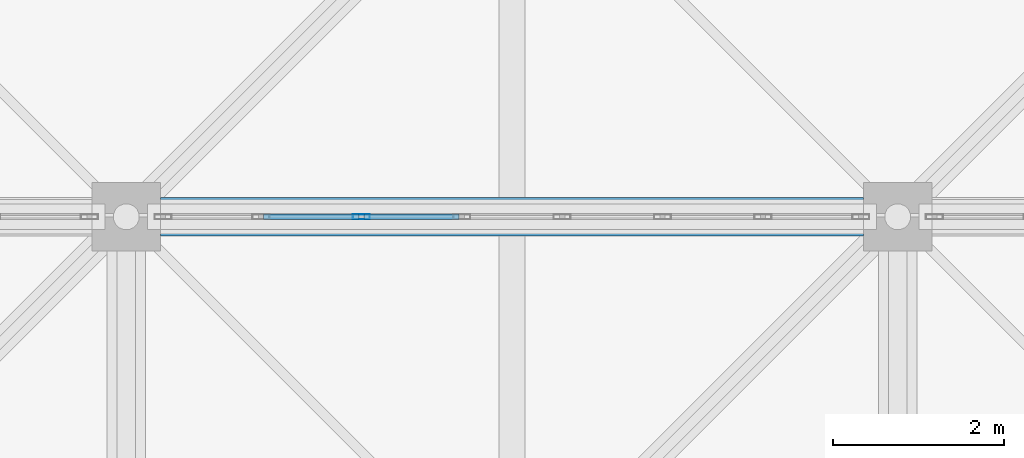
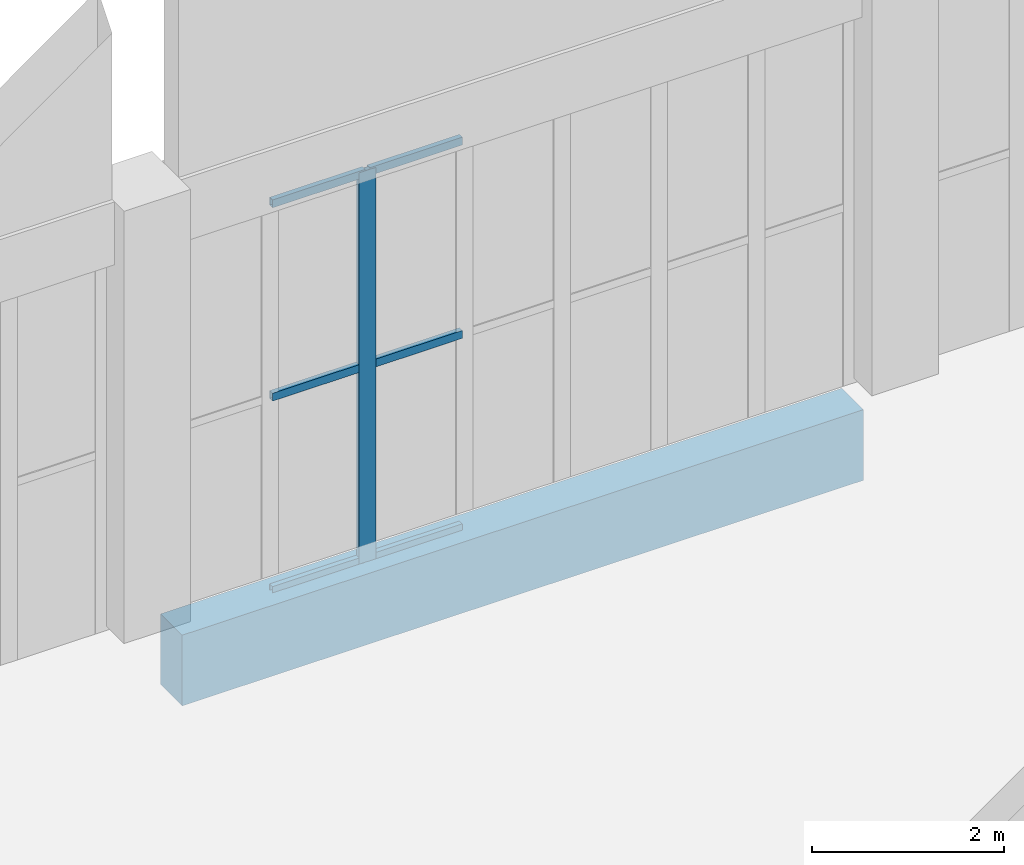
# One storey, part 121 of 437: 7 members, 1 beam, 1 element without a shape of its own.
"""IFC4 building model written with IfcOpenShell, lengths in metres."""

import ifcopenshell
import ifcopenshell.guid

model = None  # the IFC model being written
_history = None  # IfcOwnerHistory: only IFC2X3 demands one
_inside = {}  # id of a spatial element -> (the spatial element, [elements in it])
_under = {}  # id of a project, library or spatial element -> (it, [spatial elements below it])
_declared = {}  # id of a project -> (the project, [libraries it declares])
_typed = {}  # id of a type object -> (the type object, [elements of that type])
_made_of = {}  # id of a material, layer set ... -> (it, [elements and type objects made of it])


def new_model(schema):
    """Start an empty IFC model of exactly this schema.

    Asked for "IFC4X3", IfcOpenShell would pick the latest addendum, in which some entities
    have other attributes; the version numbers below select the first issue.
    IFC2X3 requires an IfcOwnerHistory on every rooted entity: one is made here for all.
    """
    global model, _history
    if schema == "IFC4X3":
        model = ifcopenshell.file(schema_version=(4, 3, 0, 0))
    else:
        model = ifcopenshell.file(schema=schema)
    _inside.clear()
    _under.clear()
    _declared.clear()
    _typed.clear()
    _made_of.clear()
    _history = None
    if model.schema == "IFC2X3":
        org = make("IfcOrganization", Name="unknown")
        user = make(
            "IfcPersonAndOrganization",
            ThePerson=make("IfcPerson", FamilyName="unknown"),
            TheOrganization=org,
        )
        app = make(
            "IfcApplication",
            ApplicationDeveloper=org,
            Version="unknown",
            ApplicationFullName="unknown",
            ApplicationIdentifier="unknown",
        )
        _history = make(
            "IfcOwnerHistory",
            OwningUser=user,
            OwningApplication=app,
            ChangeAction="ADDED",
            CreationDate=0,
        )
    return model


def make(cls, **values):
    """One entity of the class cls with the attributes given. An attribute that is None is left unset."""
    return model.create_entity(
        cls, **{name: value for name, value in values.items() if value is not None}
    )


def rooted(cls, **values):
    """An entity with a GlobalId (a new one), such as an element, a storey or a relation."""
    return make(cls, GlobalId=ifcopenshell.guid.new(), OwnerHistory=_history, **values)


def si_unit(unit_type, name, prefix=None):
    """IfcSIUnit, for example si_unit("LENGTHUNIT", "METRE", prefix="MILLI")."""
    return make("IfcSIUnit", UnitType=unit_type, Prefix=prefix, Name=name)


def assignment(units):
    """IfcUnitAssignment: the units of a project."""
    return None if units is None else make("IfcUnitAssignment", Units=units)


def point(xyz):
    """IfcCartesianPoint."""
    return None if xyz is None else make("IfcCartesianPoint", Coordinates=xyz)


def direction(xyz):
    """IfcDirection."""
    return None if xyz is None else make("IfcDirection", DirectionRatios=xyz)


def frame(location, z_axis=None, x_axis=None):
    """IfcAxis2Placement3D, a coordinate frame: its origin and axes. An axis left out is left unset."""
    return make(
        "IfcAxis2Placement3D",
        Location=point(location),
        Axis=direction(z_axis),
        RefDirection=direction(x_axis),
    )


def frame_2d(location, x_axis=None):
    """IfcAxis2Placement2D, a coordinate frame in the plane: its origin and x axis."""
    return make(
        "IfcAxis2Placement2D", Location=point(location), RefDirection=direction(x_axis)
    )


def origin():
    """The frame at (0, 0, 0) with its axes left unset."""
    return frame((0.0, 0.0, 0.0))


def origin_2d():
    """The frame at (0, 0) in the plane with its x axis left unset."""
    return frame_2d((0.0, 0.0))


def place(relative_to, where):
    """IfcLocalPlacement: puts the frame where relative to a parent placement (None: the world)."""
    return make(
        "IfcLocalPlacement", PlacementRelTo=relative_to, RelativePlacement=where
    )


def context(
    kind, dimensions, precision=None, world=None, true_north=None, identifier=None
):
    """IfcGeometricRepresentationContext, for example the 3D "Model" context."""
    return make(
        "IfcGeometricRepresentationContext",
        ContextIdentifier=identifier,
        ContextType=kind,
        CoordinateSpaceDimension=dimensions,
        Precision=precision,
        WorldCoordinateSystem=world,
        TrueNorth=true_north,
    )


def subcontext(parent, identifier, kind, view, scale=None):
    """IfcGeometricRepresentationSubContext, for example "Body" below "Model"."""
    return make(
        "IfcGeometricRepresentationSubContext",
        ContextIdentifier=identifier,
        ContextType=kind,
        ParentContext=parent,
        TargetScale=scale,
        TargetView=view,
    )


def project(units=None, contexts=None):
    """IfcProject with its units and contexts."""
    return rooted(
        "IfcProject",
        Name="project",
        RepresentationContexts=contexts,
        UnitsInContext=assignment(units),
    )


def spatial(cls, under=None, at=None, **own):
    """A site, building, storey or space (cls), placed at a placement, below another one or the project."""
    s = rooted(cls, ObjectPlacement=at, **own)
    if under is not None:
        _under.setdefault(under.id(), (under, []))[1].append(s)
    return s


def profile(cls, at=None, kind="AREA", **sizes):
    """A parametric profile (cls). Its sizes go by their IFC names, for example OverallWidth=200.0."""
    return make(cls, ProfileType=kind, Position=at, **sizes)


def rectangle(**sizes):
    """IfcRectangleProfileDef."""
    return profile("IfcRectangleProfileDef", **sizes)


def hollow_rectangle(**sizes):
    """IfcRectangleHollowProfileDef."""
    return profile("IfcRectangleHollowProfileDef", **sizes)


def extrude(swept, where, along, depth):
    """IfcExtrudedAreaSolid: the profile swept, set in the frame where, extruded along a direction by depth."""
    return make(
        "IfcExtrudedAreaSolid",
        SweptArea=swept,
        Position=where,
        ExtrudedDirection=direction(along),
        Depth=depth,
    )


def shape(context_of_items, identifier, shape_type, items):
    """IfcShapeRepresentation: the items that make up one representation, for example the "Body"."""
    return make(
        "IfcShapeRepresentation",
        ContextOfItems=context_of_items,
        RepresentationIdentifier=identifier,
        RepresentationType=shape_type,
        Items=items,
    )


def material(Name=None, Category=None):
    """IfcMaterial."""
    return make("IfcMaterial", Name=Name, Category=Category)


def layer(
    of_material, thickness, ventilated=None, Name=None, Category=None, Priority=None
):
    """IfcMaterialLayer: one layer of a wall or slab, of a material (None: an air gap)."""
    return make(
        "IfcMaterialLayer",
        Material=of_material,
        LayerThickness=thickness,
        IsVentilated=ventilated,
        Name=Name,
        Category=Category,
        Priority=Priority,
    )


def layer_set(layers, Name=None):
    """IfcMaterialLayerSet."""
    return make("IfcMaterialLayerSet", MaterialLayers=layers, LayerSetName=Name)


def material_profile(
    of_material, cross_section, Name=None, Category=None, Priority=None
):
    """IfcMaterialProfile: a cross section and its material."""
    return make(
        "IfcMaterialProfile",
        Name=Name,
        Material=of_material,
        Profile=cross_section,
        Priority=Priority,
        Category=Category,
    )


def profile_set(profiles, Name=None, composite=None):
    """IfcMaterialProfileSet."""
    return make(
        "IfcMaterialProfileSet",
        Name=Name,
        MaterialProfiles=profiles,
        CompositeProfile=composite,
    )


def made_of(thing, what):
    """Note that an element or type object is made of a material, layer set ...; save() writes the relation."""
    if what is not None:
        _made_of.setdefault(what.id(), (what, []))[1].append(thing)
    return thing


def type_object(cls, material=None, **own):
    """A type object (cls), such as IfcWallType, which elements share."""
    return made_of(rooted(cls, **own), material)


def element(
    cls,
    number,
    at=None,
    inside=None,
    cuts=None,
    type_object=None,
    material=None,
    context=None,
    identifier="Body",
    shape_type=None,
    held_by="IfcProductDefinitionShape",
    body=None,
    shapes=None,
    **own,
):
    """One element of the class cls, such as IfcWall. Its Tag is "e" and its number.

    at: its placement. inside: the storey or other place that contains it. cuts: it is an
    opening in that element (IfcRelVoidsElement). A single representation is given by context,
    identifier, shape_type and body (its items); several are given by shapes. held_by: the class
    of the entity that holds the representations. save() writes the other relations.
    """
    e = rooted(cls, Tag="e%d" % number, ObjectPlacement=at, **own)
    if body is not None:
        shapes = [shape(context, identifier, shape_type, body)]
    if shapes is not None:
        e.Representation = make(held_by, Representations=shapes)
    if inside is not None:
        _inside.setdefault(inside.id(), (inside, []))[1].append(e)
    if cuts is not None:
        rooted(
            "IfcRelVoidsElement", RelatingBuildingElement=cuts, RelatedOpeningElement=e
        )
    if type_object is not None:
        _typed.setdefault(type_object.id(), (type_object, []))[1].append(e)
    return made_of(e, material)


def aggregate(whole, parts):
    """IfcRelAggregates: a whole, such as a stair, and the parts it consists of."""
    return rooted("IfcRelAggregates", RelatingObject=whole, RelatedObjects=parts)


def save(model, path):
    """Write the relations noted so far, then the file.

    IfcRelAggregates (storeys below a building ...), IfcRelContainedInSpatialStructure (elements
    in a storey), IfcRelDefinesByType, IfcRelAssociatesMaterial and IfcRelDeclares: one each for
    every whole, place, type object, material and project.
    """
    for whole, parts in _under.values():
        aggregate(whole, parts)
    for where, things in _inside.values():
        rooted(
            "IfcRelContainedInSpatialStructure",
            RelatedElements=things,
            RelatingStructure=where,
        )
    for kind, things in _typed.values():
        rooted("IfcRelDefinesByType", RelatedObjects=things, RelatingType=kind)
    for what, things in _made_of.values():
        rooted("IfcRelAssociatesMaterial", RelatedObjects=things, RelatingMaterial=what)
    for by, libraries in _declared.values():
        rooted("IfcRelDeclares", RelatingContext=by, RelatedDefinitions=libraries)
    model.write(path)


model = new_model("IFC4")

# Units and contexts
model_context = context("Model", 3, precision=1e-05, world=origin(), true_north=direction((0.0, 1.0)))
body_context = subcontext(model_context, "Body", "Model", "MODEL_VIEW")
ifc_project = project(units=[si_unit("LENGTHUNIT", "METRE"), si_unit("AREAUNIT", "SQUARE_METRE"), si_unit("VOLUMEUNIT", "CUBIC_METRE"), si_unit("PLANEANGLEUNIT", "RADIAN"), si_unit("MASSUNIT", "GRAM", prefix="KILO")], contexts=[model_context])

# Site, building, storey
site_placement = place(None, origin())
site = spatial("IfcSite", under=ifc_project, at=site_placement, CompositionType="ELEMENT")
building_placement = place(site_placement, origin())
building = spatial("IfcBuilding", under=site, at=building_placement, Name="Opaline Strait Convention Centre", CompositionType="ELEMENT")
storey_placement = place(building_placement, frame((0.0, 0.0, 11.5)))
storey = spatial("IfcBuildingStorey", under=building, at=storey_placement, Name="L02", CompositionType="ELEMENT", Elevation=11.5)

# Curtain wall, members
ifc_material_1 = material(Name="Aluminium framed double glazing", Category="aluminium")
ifc_layer = layer(ifc_material_1, 0.199951171875)
ifc_layer_set = layer_set([ifc_layer], Name="Aluminium framed double glazing")
curtain_wall_type = type_object("IfcCurtainWallType", Name="Curtain wall 1250", PredefinedType="NOTDEFINED", material=ifc_layer_set)
curtain_wall_placement = place(storey_placement, origin())
curtain_wall = element("IfcCurtainWall", 1, at=curtain_wall_placement, inside=storey, type_object=curtain_wall_type, Name="Curtain wall N-36-L02", PredefinedType="NOTDEFINED")
ifc_material_2 = material(Name="Aluminium alloy 6063", Category="aluminium")
ifc_material_profile_1 = material_profile(ifc_material_2, hollow_rectangle(XDim=0.06005859375, YDim=0.199951171875, WallThickness=0.00390625, at=origin_2d()), Name="MULLION 60x200x4")
ifc_profile_set_1 = profile_set([ifc_material_profile_1], Name="Aluminium alloy 6063")
member_type_1 = type_object("IfcMemberType", Name="Curtain wall mullion 60 x 200", PredefinedType="MULLION", material=ifc_profile_set_1)
member_1_placement = place(storey_placement, frame((38.742919921875, 180.0, -0.280029296875), z_axis=(0.0, 0.0, 1.0), x_axis=(0.0, 1.0, 0.0)))
member_1 = element("IfcMember", 2, at=member_1_placement, type_object=member_type_1, Name="PCW mullion 3", PredefinedType="MULLION", context=body_context, shape_type="SweptSolid", body=[
    extrude(hollow_rectangle(XDim=0.06005859375, YDim=0.199951171875, WallThickness=0.00390625, at=origin_2d()), origin(), (0.0, 0.0, 1.0), 4.97998046875),
])
ifc_material_profile_2 = material_profile(ifc_material_2, hollow_rectangle(XDim=0.06005859375, YDim=0.10009765625, WallThickness=0.0029296875, at=origin_2d()), Name="TRANSOM 60x100x3")
ifc_profile_set_2 = profile_set([ifc_material_profile_2], Name="Aluminium alloy 6063")
member_type_2 = type_object("IfcMemberType", Name="Curtain wall transom 60 x 100", PredefinedType="USERDEFINED", material=ifc_profile_set_2)
member_2_placement = place(storey_placement, frame((37.601318359375, 180.0, -0.25), z_axis=(1.0, 0.0, 0.0), x_axis=(0.0, 1.0, 0.0)))
member_2 = element("IfcMember", 3, at=member_2_placement, type_object=member_type_2, Name="PCW transom 2.1", ObjectType="TRANSOM", PredefinedType="USERDEFINED", context=body_context, shape_type="SweptSolid", body=[
    extrude(hollow_rectangle(XDim=0.06005859375, YDim=0.10009765625, WallThickness=0.0029296875, at=origin_2d()), origin(), (0.0, 0.0, 1.0), 1.111572265625),
])
member_3_placement = place(storey_placement, frame((37.601318359375, 180.0, 2.2099609375), z_axis=(1.0, 0.0, 0.0), x_axis=(0.0, 1.0, 0.0)))
member_3 = element("IfcMember", 4, at=member_3_placement, type_object=member_type_2, Name="PCW transom 2.2", ObjectType="TRANSOM", PredefinedType="USERDEFINED", context=body_context, shape_type="SweptSolid", body=[
    extrude(hollow_rectangle(XDim=0.06005859375, YDim=0.10009765625, WallThickness=0.0029296875, at=origin_2d()), origin(), (0.0, 0.0, 1.0), 1.111572265625),
])
member_4_placement = place(storey_placement, frame((37.601318359375, 180.0, 4.669921875), z_axis=(1.0, 0.0, 0.0), x_axis=(0.0, 1.0, 0.0)))
member_4 = element("IfcMember", 5, at=member_4_placement, type_object=member_type_2, Name="PCW transom 2.3", ObjectType="TRANSOM", PredefinedType="USERDEFINED", context=body_context, shape_type="SweptSolid", body=[
    extrude(hollow_rectangle(XDim=0.06005859375, YDim=0.10009765625, WallThickness=0.0029296875, at=origin_2d()), origin(), (0.0, 0.0, 1.0), 1.111572265625),
])
member_5_placement = place(storey_placement, frame((38.772705078125, 180.0, -0.25), z_axis=(1.0, 0.0, 0.0), x_axis=(0.0, 1.0, 0.0)))
member_5 = element("IfcMember", 6, at=member_5_placement, type_object=member_type_2, Name="PCW transom 3.1", ObjectType="TRANSOM", PredefinedType="USERDEFINED", context=body_context, shape_type="SweptSolid", body=[
    extrude(hollow_rectangle(XDim=0.06005859375, YDim=0.10009765625, WallThickness=0.0029296875, at=origin_2d()), origin(), (0.0, 0.0, 1.0), 1.111572265625),
])
member_6_placement = place(storey_placement, frame((38.772705078125, 180.0, 2.2099609375), z_axis=(1.0, 0.0, 0.0), x_axis=(0.0, 1.0, 0.0)))
member_6 = element("IfcMember", 7, at=member_6_placement, type_object=member_type_2, Name="PCW transom 3.2", ObjectType="TRANSOM", PredefinedType="USERDEFINED", context=body_context, shape_type="SweptSolid", body=[
    extrude(hollow_rectangle(XDim=0.06005859375, YDim=0.10009765625, WallThickness=0.0029296875, at=origin_2d()), origin(), (0.0, 0.0, 1.0), 1.111572265625),
])
member_7_placement = place(storey_placement, frame((38.772705078125, 180.0, 4.669921875), z_axis=(1.0, 0.0, 0.0), x_axis=(0.0, 1.0, 0.0)))
member_7 = element("IfcMember", 8, at=member_7_placement, type_object=member_type_2, Name="PCW transom 3.3", ObjectType="TRANSOM", PredefinedType="USERDEFINED", context=body_context, shape_type="SweptSolid", body=[
    extrude(hollow_rectangle(XDim=0.06005859375, YDim=0.10009765625, WallThickness=0.0029296875, at=origin_2d()), origin(), (0.0, 0.0, 1.0), 1.111572265625),
])
aggregate(curtain_wall, [member_1, member_2, member_3, member_4, member_5, member_6, member_7])

# Beam
ifc_material_3 = material(Name="Concrete C35", Category="concrete")
ifc_material_profile_3 = material_profile(ifc_material_3, rectangle(XDim=0.449951171875, YDim=0.89990234375, at=origin_2d()), Name="RC 450x900")
ifc_profile_set_3 = profile_set([ifc_material_profile_3], Name="Concrete C35")
beam_type = type_object("IfcBeamType", Name="RC floor beam 450x900 C35", PredefinedType="BEAM", material=ifc_profile_set_3)
beam_placement = place(storey_placement, frame((36.39990234375, 180.0, -0.72998046875), z_axis=(1.0, 0.0, 0.0), x_axis=(0.0, 1.0, 0.0)))
element("IfcBeam", 9, at=beam_placement, inside=storey, type_object=beam_type, Name="PFB1 L02 beam 5/W-6/W", PredefinedType="BEAM", context=body_context, shape_type="SweptSolid", body=[
    extrude(rectangle(XDim=0.449951171875, YDim=0.89990234375, at=origin_2d()), origin(), (0.0, 0.0, 1.0), 8.2001953125),
])

save(model, "model.ifc")
